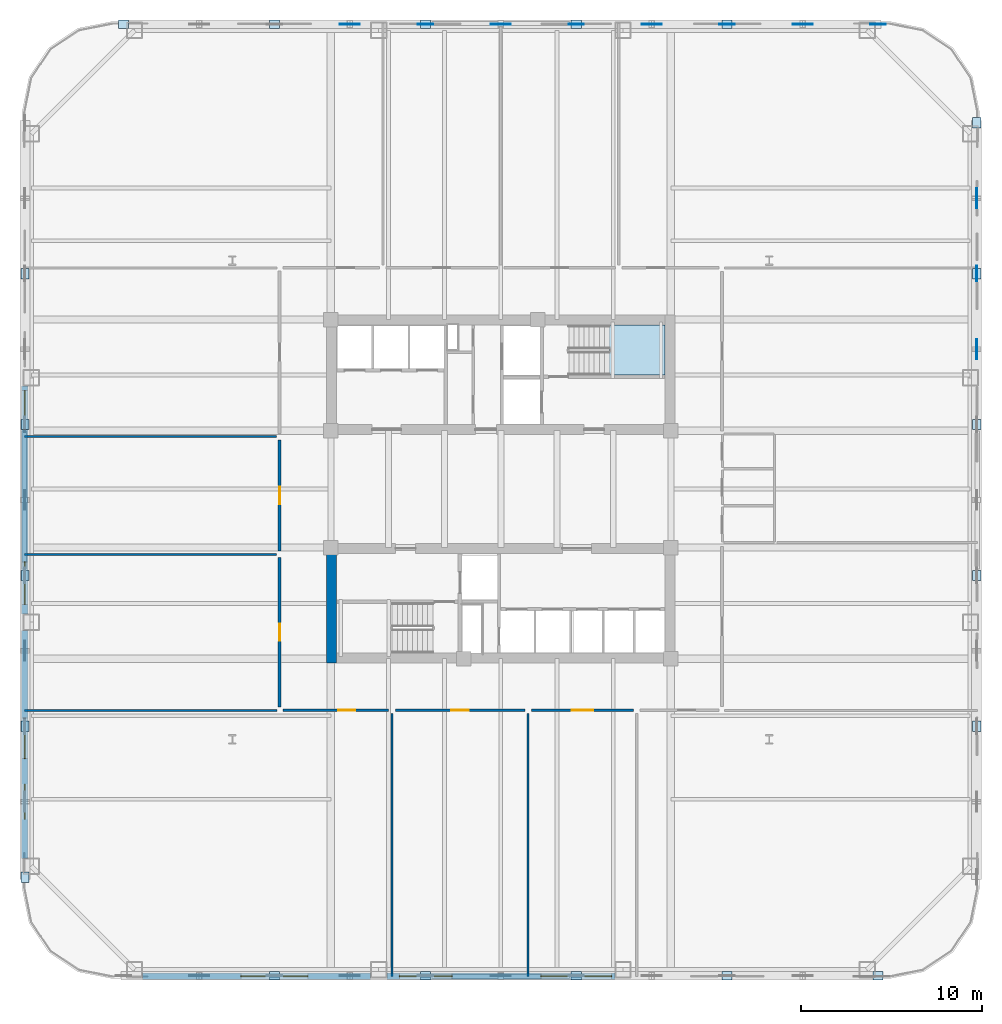
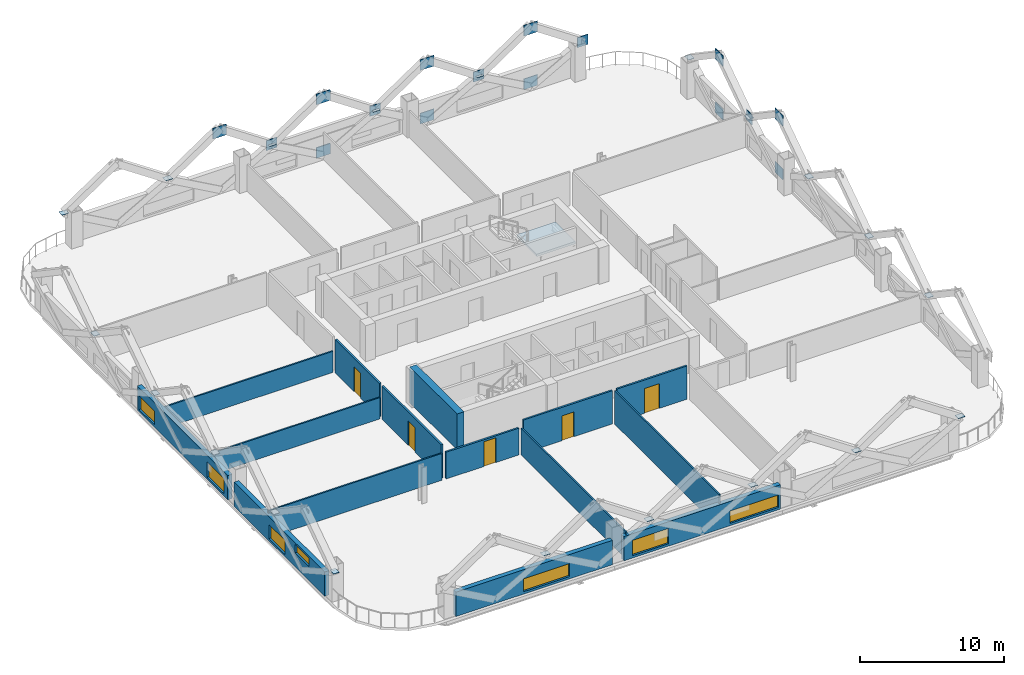
# One storey, part 4 of 13: 36 plates, 15 walls, 7 windows, 5 doors, 1 slab, 12 openings, 1 element without a shape of its own.
"""IFC4 building model written with IfcOpenShell, lengths in metres."""

from ifc_helpers import new_model, si_unit, direction, frame, frame_2d, origin, origin_2d, place, context, subcontext, project, spatial, polyline, rectangle, outline, extrude, material, layer, layer_set, type_object, element, fill, aggregate, save


model = new_model("IFC4")

# Units and contexts
model_context = context("Model", 3, precision=1e-05, world=origin(), true_north=direction((0.0, 1.0)))
body_context = subcontext(model_context, "Body", "Model", "MODEL_VIEW")
ifc_project = project(units=[si_unit("LENGTHUNIT", "METRE"), si_unit("AREAUNIT", "SQUARE_METRE"), si_unit("VOLUMEUNIT", "CUBIC_METRE"), si_unit("PLANEANGLEUNIT", "RADIAN"), si_unit("MASSUNIT", "GRAM", prefix="KILO")], contexts=[model_context])

# Site, building, storey
site_placement = place(None, origin())
site = spatial("IfcSite", under=ifc_project, at=site_placement, CompositionType="ELEMENT")
building_placement = place(site_placement, origin())
building = spatial("IfcBuilding", under=site, at=building_placement, Name="Qhalaya Broadcast Tower", CompositionType="ELEMENT")
storey_placement = place(building_placement, frame((0.0, 0.0, 44.39990234375)))
storey = spatial("IfcBuildingStorey", under=building, at=storey_placement, Name="L12", CompositionType="ELEMENT", Elevation=44.39990234375)

# Plates
ifc_material_1 = material(Name="Structural Steel ASTM A572 Grade 50", Category="steel")
ifc_layer_1 = layer(ifc_material_1, 0.054931640625, Name="Structural Steel ASTM A572 Grade 50")
ifc_layer_set_1 = layer_set([ifc_layer_1], Name="Structural Steel ASTM A572 Grade 50")
plate_type_1 = type_object("IfcPlateType", Name="Exoskeleton Diamond Node Gusset Plate NP-01", PredefinedType="USERDEFINED", material=ifc_layer_set_1)
for number, where, z_axis, x_axis, name in (
    (1, (26.239990234375, 8.320068359375, 0.210205078125), (0.0, 0.0, 1.0), (0.0, 1.0, 0.0), "Exoskeleton Diamond Node B1-E4-BOT"),
    (2, (26.239990234375, 8.320068359375, 4.750244140625), (0.0, 0.0, 1.0), (0.0, 1.0, 0.0), "Exoskeleton Diamond Node B1-E4-TOP"),
    (3, (26.239990234375, 16.639892578125, 0.210205078125), (0.0, 0.0, 1.0), (0.0, 1.0, 0.0), "Exoskeleton Diamond Node B1-E5-BOT"),
    (4, (26.239990234375, 16.639892578125, 4.750244140625), (0.0, 0.0, 1.0), (0.0, 1.0, 0.0), "Exoskeleton Diamond Node B1-E5-TOP"),
):
    element("IfcPlate", number, at=place(storey_placement, frame(where, z_axis=z_axis, x_axis=x_axis)), inside=storey, type_object=plate_type_1, Name=name, ObjectType="GUSSET_PLATE", PredefinedType="USERDEFINED", context=body_context, shape_type="SweptSolid", body=[
        extrude(rectangle(XDim=1.10009765625, YDim=0.054931640625, at=origin_2d()), origin(), (0.0, 0.0, 1.0), 0.89990234375),
    ])
plate_1_placement = place(storey_placement, frame((26.239990234375, 12.47998046875, 2.26513671875), z_axis=(0.0, 0.0, 1.0), x_axis=(0.0, 1.0, 0.0)))
element("IfcPlate", 5, at=plate_1_placement, inside=storey, type_object=plate_type_1, Name="Exoskeleton Diamond Node B1-E5-MDL", ObjectType="GUSSET_PLATE", PredefinedType="USERDEFINED", context=body_context, shape_type="SweptSolid", body=[
    extrude(rectangle(XDim=0.85009765625, YDim=0.054931640625, at=origin_2d()), origin(), (0.0, 0.0, 1.0), 0.85009765625),
])
for number, where, z_axis, x_axis, name in (
    (6, (16.639892578125, 26.239990234375, 0.210205078125), (0.0, 0.0, 1.0), (1.0, 0.0, 0.0), "Exoskeleton Diamond Node B1-N1-BOT"),
    (7, (16.639892578125, 26.239990234375, 4.750244140625), (0.0, 0.0, 1.0), (1.0, 0.0, 0.0), "Exoskeleton Diamond Node B1-N1-TOP"),
):
    element("IfcPlate", number, at=place(storey_placement, frame(where, z_axis=z_axis, x_axis=x_axis)), inside=storey, type_object=plate_type_1, Name=name, ObjectType="GUSSET_PLATE", PredefinedType="USERDEFINED", context=body_context, shape_type="SweptSolid", body=[
        extrude(rectangle(XDim=1.10009765625, YDim=0.054931640625, at=origin_2d()), origin(), (0.0, 0.0, 1.0), 0.89990234375),
    ])
plate_2_placement = place(storey_placement, frame((20.800048828125, 26.239990234375, 2.26513671875), z_axis=(0.0, 0.0, 1.0), x_axis=(1.0, 0.0, 0.0)))
element("IfcPlate", 8, at=plate_2_placement, inside=storey, type_object=plate_type_1, Name="Exoskeleton Diamond Node B1-N1-MDL", ObjectType="GUSSET_PLATE", PredefinedType="USERDEFINED", context=body_context, shape_type="SweptSolid", body=[
    extrude(rectangle(XDim=0.85009765625, YDim=0.054931640625, at=origin_2d()), origin(), (0.0, 0.0, 1.0), 0.85009765625),
])
for number, where, z_axis, x_axis, name in (
    (9, (8.320068359375, 26.239990234375, 0.210205078125), (0.0, 0.0, 1.0), (1.0, 0.0, 0.0), "Exoskeleton Diamond Node B1-N2-BOT"),
    (10, (8.320068359375, 26.239990234375, 4.750244140625), (0.0, 0.0, 1.0), (1.0, 0.0, 0.0), "Exoskeleton Diamond Node B1-N2-TOP"),
):
    element("IfcPlate", number, at=place(storey_placement, frame(where, z_axis=z_axis, x_axis=x_axis)), inside=storey, type_object=plate_type_1, Name=name, ObjectType="GUSSET_PLATE", PredefinedType="USERDEFINED", context=body_context, shape_type="SweptSolid", body=[
        extrude(rectangle(XDim=1.10009765625, YDim=0.054931640625, at=origin_2d()), origin(), (0.0, 0.0, 1.0), 0.89990234375),
    ])
plate_3_placement = place(storey_placement, frame((12.47998046875, 26.239990234375, 2.26513671875), z_axis=(0.0, 0.0, 1.0), x_axis=(1.0, 0.0, 0.0)))
element("IfcPlate", 11, at=plate_3_placement, inside=storey, type_object=plate_type_1, Name="Exoskeleton Diamond Node B1-N2-MDL", ObjectType="GUSSET_PLATE", PredefinedType="USERDEFINED", context=body_context, shape_type="SweptSolid", body=[
    extrude(rectangle(XDim=0.85009765625, YDim=0.054931640625, at=origin_2d()), origin(), (0.0, 0.0, 1.0), 0.85009765625),
])
for number, where, z_axis, x_axis, name in (
    (12, (0.0, 26.239990234375, 0.210205078125), (0.0, 0.0, 1.0), (1.0, 0.0, 0.0), "Exoskeleton Diamond Node B1-N3-BOT"),
    (13, (0.0, 26.239990234375, 4.750244140625), (0.0, 0.0, 1.0), (1.0, 0.0, 0.0), "Exoskeleton Diamond Node B1-N3-TOP"),
):
    element("IfcPlate", number, at=place(storey_placement, frame(where, z_axis=z_axis, x_axis=x_axis)), inside=storey, type_object=plate_type_1, Name=name, ObjectType="GUSSET_PLATE", PredefinedType="USERDEFINED", context=body_context, shape_type="SweptSolid", body=[
        extrude(rectangle(XDim=1.10009765625, YDim=0.054931640625, at=origin_2d()), origin(), (0.0, 0.0, 1.0), 0.89990234375),
    ])
plate_4_placement = place(storey_placement, frame((4.159912109375, 26.239990234375, 2.26513671875), z_axis=(0.0, 0.0, 1.0), x_axis=(1.0, 0.0, 0.0)))
element("IfcPlate", 14, at=plate_4_placement, inside=storey, type_object=plate_type_1, Name="Exoskeleton Diamond Node B1-N3-MDL", ObjectType="GUSSET_PLATE", PredefinedType="USERDEFINED", context=body_context, shape_type="SweptSolid", body=[
    extrude(rectangle(XDim=0.85009765625, YDim=0.054931640625, at=origin_2d()), origin(), (0.0, 0.0, 1.0), 0.85009765625),
])
plate_5_placement = place(storey_placement, frame((-8.320068359375, 26.239990234375, 4.750244140625), z_axis=(0.0, 0.0, 1.0), x_axis=(1.0, 0.0, 0.0)))
element("IfcPlate", 15, at=plate_5_placement, inside=storey, type_object=plate_type_1, Name="Exoskeleton Diamond Node B1-N4-TOP", ObjectType="GUSSET_PLATE", PredefinedType="USERDEFINED", context=body_context, shape_type="SweptSolid", body=[
    extrude(rectangle(XDim=1.10009765625, YDim=0.054931640625, at=origin_2d()), origin(), (0.0, 0.0, 1.0), 0.89990234375),
])
plate_6_placement = place(storey_placement, frame((-4.159912109375, 26.239990234375, 2.26513671875), z_axis=(0.0, 0.0, 1.0), x_axis=(1.0, 0.0, 0.0)))
element("IfcPlate", 16, at=plate_6_placement, inside=storey, type_object=plate_type_1, Name="Exoskeleton Diamond Node B1-N4-MDL", ObjectType="GUSSET_PLATE", PredefinedType="USERDEFINED", context=body_context, shape_type="SweptSolid", body=[
    extrude(rectangle(XDim=0.85009765625, YDim=0.054931640625, at=origin_2d()), origin(), (0.0, 0.0, 1.0), 0.85009765625),
])
ifc_layer_2 = layer(ifc_material_1, 0.4599609375, Name="Structural Steel ASTM A572 Grade 50")
ifc_layer_set_2 = layer_set([ifc_layer_2], Name="Structural Steel ASTM A572 Grade 50")
plate_type_2 = type_object("IfcPlateType", Name="Hollow Box Member End Cap Plate CP-01", PredefinedType="USERDEFINED", material=ifc_layer_set_2)
for number, where, z_axis, x_axis, name in (
    (17, (-12.47998046875, -26.239990234375, 2.67431640625), (0.0, 0.0, 1.0), (1.0, 0.0, 0.0), "Exoskeleton Hollow End Cap B1-S1"),
    (18, (-4.159912109375, -26.239990234375, 2.67431640625), (0.0, 0.0, 1.0), (1.0, 0.0, 0.0), "Exoskeleton Hollow End Cap B1-S2"),
    (19, (4.159912109375, -26.239990234375, 2.67431640625), (0.0, 0.0, 1.0), (1.0, 0.0, 0.0), "Exoskeleton Hollow End Cap B1-S3"),
    (20, (12.47998046875, -26.239990234375, 2.67431640625), (0.0, 0.0, 1.0), (1.0, 0.0, 0.0), "Exoskeleton Hollow End Cap B1-S4"),
    (21, (20.800048828125, -26.239990234375, 2.67431640625), (0.0, 0.0, 1.0), (1.0, 0.0, 0.0), "Exoskeleton Hollow End Cap B1-S5"),
    (22, (26.239990234375, -12.47998046875, 2.67431640625), (0.0, 0.0, 1.0), (0.0, 1.0, 0.0), "Exoskeleton Hollow End Cap B1-E1"),
    (23, (26.239990234375, -4.159912109375, 2.67431640625), (0.0, 0.0, 1.0), (0.0, 1.0, 0.0), "Exoskeleton Hollow End Cap B1-E2"),
    (24, (26.239990234375, 4.159912109375, 2.67431640625), (0.0, 0.0, 1.0), (0.0, 1.0, 0.0), "Exoskeleton Hollow End Cap B1-E3"),
    (25, (26.239990234375, 12.47998046875, 2.67431640625), (0.0, 0.0, 1.0), (0.0, 1.0, 0.0), "Exoskeleton Hollow End Cap B1-E4"),
    (26, (26.239990234375, 20.800048828125, 2.67431640625), (0.0, 0.0, 1.0), (0.0, 1.0, 0.0), "Exoskeleton Hollow End Cap B1-E5"),
    (27, (12.47998046875, 26.239990234375, 2.67431640625), (0.0, 0.0, 1.0), (1.0, 0.0, 0.0), "Exoskeleton Hollow End Cap B1-N1"),
    (28, (4.159912109375, 26.239990234375, 2.67431640625), (0.0, 0.0, 1.0), (1.0, 0.0, 0.0), "Exoskeleton Hollow End Cap B1-N2"),
    (29, (-4.159912109375, 26.239990234375, 2.67431640625), (0.0, 0.0, 1.0), (1.0, 0.0, 0.0), "Exoskeleton Hollow End Cap B1-N3"),
    (30, (-12.47998046875, 26.239990234375, 2.67431640625), (0.0, 0.0, 1.0), (1.0, 0.0, 0.0), "Exoskeleton Hollow End Cap B1-N4"),
    (31, (-20.800048828125, 26.239990234375, 2.67431640625), (0.0, 0.0, 1.0), (1.0, 0.0, 0.0), "Exoskeleton Hollow End Cap B1-N5"),
    (32, (-26.239990234375, 12.47998046875, 2.67431640625), (0.0, 0.0, 1.0), (0.0, 1.0, 0.0), "Exoskeleton Hollow End Cap B1-W1"),
    (33, (-26.239990234375, 4.159912109375, 2.67431640625), (0.0, 0.0, 1.0), (0.0, 1.0, 0.0), "Exoskeleton Hollow End Cap B1-W2"),
    (34, (-26.239990234375, -4.159912109375, 2.67431640625), (0.0, 0.0, 1.0), (0.0, 1.0, 0.0), "Exoskeleton Hollow End Cap B1-W3"),
    (35, (-26.239990234375, -12.47998046875, 2.67431640625), (0.0, 0.0, 1.0), (0.0, 1.0, 0.0), "Exoskeleton Hollow End Cap B1-W4"),
    (36, (-26.239990234375, -20.800048828125, 2.67431640625), (0.0, 0.0, 1.0), (0.0, 1.0, 0.0), "Exoskeleton Hollow End Cap B1-W5"),
):
    element("IfcPlate", number, at=place(storey_placement, frame(where, z_axis=z_axis, x_axis=x_axis)), inside=storey, type_object=plate_type_2, Name=name, ObjectType="COVER_PLATE", PredefinedType="USERDEFINED", context=body_context, shape_type="SweptSolid", body=[
        extrude(rectangle(XDim=0.56005859375, YDim=0.4599609375, at=origin_2d()), origin(), (0.0, 0.0, 1.0), 0.031982421875),
    ])

# Stair, slab
ifc_material_2 = material(Name="Concrete C40/50", Category="concrete")
stair_type = type_object("IfcStairType", Name="Protected Dogleg Core Stair 3150", PredefinedType="TWO_STRAIGHT_RUN_STAIR", material=ifc_material_2)
stair_placement = place(storey_placement, origin())
stair = element("IfcStair", 37, at=stair_placement, inside=storey, type_object=stair_type, Name="L12 North Core Exit Stair ST-1", PredefinedType="TWO_STRAIGHT_RUN_STAIR")
ifc_layer_3 = layer(ifc_material_2, 0.199951171875, Name="Concrete C40/50")
ifc_layer_set_3 = layer_set([ifc_layer_3], Name="Concrete C40/50")
slab_type = type_object("IfcSlabType", Name="Stair & Ramp Half-Landing Slab 200", PredefinedType="LANDING", material=ifc_layer_set_3)
slab_placement = place(storey_placement, frame((0.0, 0.0, 1.3251953125)))
slab = element("IfcSlab", 38, at=slab_placement, type_object=slab_type, Name="ST-1 landing 1", PredefinedType="LANDING", context=body_context, shape_type="SweptSolid", body=[
    extrude(outline(polyline([(5.955078125, 6.8798828125), (9.050048828125, 6.8798828125), (9.050048828125, 9.639892578125), (5.955078125, 9.639892578125), (5.955078125, 6.8798828125)])), origin(), (0.0, 0.0, 1.0), 0.199951171875),
])
aggregate(stair, [slab])

# Wall, opening, door
ifc_material_3 = material(Name="Gypsum Acoustic Partition")
ifc_layer_4 = layer(ifc_material_3, 0.14990234375, Name="Gypsum Acoustic Partition")
ifc_layer_set_4 = layer_set([ifc_layer_4], Name="Gypsum Acoustic Partition")
wall_type_1 = type_object("IfcWallType", Name="Corridor & Tenancy Acoustic Partition 150", PredefinedType="PARTITIONING", material=ifc_layer_set_4)
wall_1_placement = place(storey_placement, frame((-12.02001953125, -11.60009765625, 0.0), z_axis=(0.0, 0.0, 1.0), x_axis=(1.0, 0.0, 0.0)))
wall_1 = element("IfcWall", 39, at=wall_1_placement, inside=storey, type_object=wall_type_1, Name="L12 Partition Wall W-COR-05", PredefinedType="PARTITIONING", context=body_context, shape_type="SweptSolid", body=[
    extrude(rectangle(XDim=5.840087890625, YDim=0.14990234375, at=frame_2d((2.919921875, 0.0))), origin(), (0.0, 0.0, 1.0), 2.274169921875),
])
opening_1_placement = place(wall_1_placement, frame((3.044921875, 0.0, 0.0)))
opening_1 = element("IfcOpeningElement", 40, at=opening_1_placement, cuts=wall_1, Name="Opening D10", PredefinedType="OPENING", context=body_context, shape_type="SweptSolid", body=[
    extrude(rectangle(XDim=0.949951171875, YDim=2.10009765625, at=frame_2d((0.47509765625, 1.050048828125))), frame((0.0, 0.0869140625, 0.0), z_axis=(0.0, -1.0, 0.0), x_axis=(1.0, 0.0, 0.0)), (0.0, 0.0, 1.0), 0.173828125),
])
ifc_material_4 = material(Name="Timber Veneer Acoustic Door", Category="wood")
door_type_1 = type_object("IfcDoorType", Name="Cellular Office & Edit Booth Door D10", OperationType="NOTDEFINED", PredefinedType="DOOR", material=ifc_material_4)
door_1_placement = place(opening_1_placement, origin())
door_1 = element("IfcDoor", 41, at=door_1_placement, inside=storey, type_object=door_type_1, Name="L12 Door D-RM05", OperationType="SINGLE_SWING_RIGHT", OverallHeight=2.10009765625, OverallWidth=0.949951171875, PredefinedType="DOOR", context=body_context, shape_type="SweptSolid", body=[
    extrude(rectangle(XDim=0.949951171875, YDim=2.10009765625, at=frame_2d((0.47509765625, 1.050048828125))), frame((0.0, 0.02490234375, 0.0), z_axis=(0.0, -1.0, 0.0), x_axis=(1.0, 0.0, 0.0)), (0.0, 0.0, 1.0), 0.050048828125),
])
fill(opening_1, door_1)

wall_2_placement = place(storey_placement, frame((-5.820068359375, -11.60009765625, 0.0), z_axis=(0.0, 0.0, 1.0), x_axis=(1.0, 0.0, 0.0)))
wall_2 = element("IfcWall", 42, at=wall_2_placement, inside=storey, type_object=wall_type_1, Name="L12 Partition Wall W-COR-06", PredefinedType="PARTITIONING", context=body_context, shape_type="SweptSolid", body=[
    extrude(rectangle(XDim=7.14013671875, YDim=0.14990234375, at=frame_2d((3.570068359375, 0.0))), origin(), (0.0, 0.0, 1.0), 2.830078125),
])
opening_2_placement = place(wall_2_placement, frame((3.094970703125, 0.0, 0.0)))
opening_2 = element("IfcOpeningElement", 43, at=opening_2_placement, cuts=wall_2, Name="Opening D10", PredefinedType="OPENING", context=body_context, shape_type="SweptSolid", body=[
    extrude(rectangle(XDim=0.949951171875, YDim=2.10009765625, at=frame_2d((0.47509765625, 1.050048828125))), frame((0.0, 0.0869140625, 0.0), z_axis=(0.0, -1.0, 0.0), x_axis=(1.0, 0.0, 0.0)), (0.0, 0.0, 1.0), 0.173828125),
])
door_2_placement = place(opening_2_placement, origin())
door_2 = element("IfcDoor", 44, at=door_2_placement, inside=storey, type_object=door_type_1, Name="L12 Door D-RM06", OperationType="SINGLE_SWING_LEFT", OverallHeight=2.10009765625, OverallWidth=0.949951171875, PredefinedType="DOOR", context=body_context, shape_type="SweptSolid", body=[
    extrude(rectangle(XDim=0.949951171875, YDim=2.10009765625, at=frame_2d((0.47509765625, 1.050048828125))), frame((0.0, 0.02490234375, 0.0), z_axis=(0.0, -1.0, 0.0), x_axis=(1.0, 0.0, 0.0)), (0.0, 0.0, 1.0), 0.050048828125),
])
fill(opening_2, door_2)

wall_3_placement = place(storey_placement, frame((1.679931640625, -11.60009765625, 0.0), z_axis=(0.0, 0.0, 1.0), x_axis=(1.0, 0.0, 0.0)))
wall_3 = element("IfcWall", 45, at=wall_3_placement, inside=storey, type_object=wall_type_1, Name="L12 Partition Wall W-COR-07", PredefinedType="PARTITIONING", context=body_context, shape_type="SweptSolid", body=[
    extrude(rectangle(XDim=5.64013671875, YDim=0.14990234375, at=frame_2d((2.820068359375, 0.0))), origin(), (0.0, 0.0, 1.0), 2.830078125),
])
opening_3_placement = place(wall_3_placement, frame((2.219970703125, 0.0, 0.0)))
opening_3 = element("IfcOpeningElement", 46, at=opening_3_placement, cuts=wall_3, Name="Opening D11", PredefinedType="OPENING", context=body_context, shape_type="SweptSolid", body=[
    extrude(rectangle(XDim=1.199951171875, YDim=2.10009765625, at=frame_2d((0.60009765625, 1.050048828125))), frame((0.0, 0.0869140625, 0.0), z_axis=(0.0, -1.0, 0.0), x_axis=(1.0, 0.0, 0.0)), (0.0, 0.0, 1.0), 0.173828125),
])
ifc_material_5 = material(Name="Anodised Aluminium Glazed Door", Category="aluminium")
door_type_2 = type_object("IfcDoorType", Name="Conference, Boardroom & Studio Control Door D11", OperationType="NOTDEFINED", PredefinedType="DOOR", material=ifc_material_5)
door_3_placement = place(opening_3_placement, origin())
door_3 = element("IfcDoor", 47, at=door_3_placement, inside=storey, type_object=door_type_2, Name="L12 Door D-RM07", OperationType="SINGLE_SWING_RIGHT", OverallHeight=2.10009765625, OverallWidth=1.199951171875, PredefinedType="DOOR", context=body_context, shape_type="SweptSolid", body=[
    extrude(rectangle(XDim=1.199951171875, YDim=2.10009765625, at=frame_2d((0.60009765625, 1.050048828125))), frame((0.0, 0.02490234375, 0.0), z_axis=(0.0, -1.0, 0.0), x_axis=(1.0, 0.0, 0.0)), (0.0, 0.0, 1.0), 0.050048828125),
])
fill(opening_3, door_3)

wall_4_placement = place(storey_placement, frame((-12.199951171875, -11.419921875, 0.0), z_axis=(0.0, 0.0, 1.0), x_axis=(0.0, 1.0, 0.0)))
wall_4 = element("IfcWall", 48, at=wall_4_placement, inside=storey, type_object=wall_type_1, Name="L12 Partition Wall W-COR-09", PredefinedType="PARTITIONING", context=body_context, shape_type="SweptSolid", body=[
    extrude(rectangle(XDim=8.239990234375, YDim=0.14990234375, at=frame_2d((4.1201171875, 0.0))), origin(), (0.0, 0.0, 1.0), 2.830078125),
])
opening_4_placement = place(wall_4_placement, frame((3.64501953125, 0.0, 0.0)))
opening_4 = element("IfcOpeningElement", 49, at=opening_4_placement, cuts=wall_4, Name="Opening D10", PredefinedType="OPENING", context=body_context, shape_type="SweptSolid", body=[
    extrude(rectangle(XDim=0.949951171875, YDim=2.10009765625, at=frame_2d((0.47509765625, 1.050048828125))), frame((0.0, 0.0869140625, 0.0), z_axis=(0.0, -1.0, 0.0), x_axis=(1.0, 0.0, 0.0)), (0.0, 0.0, 1.0), 0.173828125),
])
door_4_placement = place(opening_4_placement, origin())
door_4 = element("IfcDoor", 50, at=door_4_placement, inside=storey, type_object=door_type_1, Name="L12 Door D-RM09", OperationType="SINGLE_SWING_RIGHT", OverallHeight=2.10009765625, OverallWidth=0.949951171875, PredefinedType="DOOR", context=body_context, shape_type="SweptSolid", body=[
    extrude(rectangle(XDim=0.949951171875, YDim=2.10009765625, at=frame_2d((0.47509765625, 1.050048828125))), frame((0.0, 0.02490234375, 0.0), z_axis=(0.0, -1.0, 0.0), x_axis=(1.0, 0.0, 0.0)), (0.0, 0.0, 1.0), 0.050048828125),
])
fill(opening_4, door_4)

wall_5_placement = place(storey_placement, frame((-12.199951171875, -2.820068359375, 0.0), z_axis=(0.0, 0.0, 1.0), x_axis=(0.0, 1.0, 0.0)))
wall_5 = element("IfcWall", 51, at=wall_5_placement, inside=storey, type_object=wall_type_1, Name="L12 Partition Wall W-COR-10", PredefinedType="PARTITIONING", context=body_context, shape_type="SweptSolid", body=[
    extrude(rectangle(XDim=6.14013671875, YDim=0.14990234375, at=frame_2d((3.070068359375, 0.0))), origin(), (0.0, 0.0, 1.0), 2.830078125),
])
opening_5_placement = place(wall_5_placement, frame((2.594970703125, 0.0, 0.0)))
opening_5 = element("IfcOpeningElement", 52, at=opening_5_placement, cuts=wall_5, Name="Opening D10", PredefinedType="OPENING", context=body_context, shape_type="SweptSolid", body=[
    extrude(rectangle(XDim=0.949951171875, YDim=2.10009765625, at=frame_2d((0.47509765625, 1.050048828125))), frame((0.0, 0.0869140625, 0.0), z_axis=(0.0, -1.0, 0.0), x_axis=(1.0, 0.0, 0.0)), (0.0, 0.0, 1.0), 0.173828125),
])
door_5_placement = place(opening_5_placement, origin())
door_5 = element("IfcDoor", 53, at=door_5_placement, inside=storey, type_object=door_type_1, Name="L12 Door D-RM10", OperationType="SINGLE_SWING_LEFT", OverallHeight=2.10009765625, OverallWidth=0.949951171875, PredefinedType="DOOR", context=body_context, shape_type="SweptSolid", body=[
    extrude(rectangle(XDim=0.949951171875, YDim=2.10009765625, at=frame_2d((0.47509765625, 1.050048828125))), frame((0.0, 0.02490234375, 0.0), z_axis=(0.0, -1.0, 0.0), x_axis=(1.0, 0.0, 0.0)), (0.0, 0.0, 1.0), 0.050048828125),
])
fill(opening_5, door_5)

# Wall, openings, windows
ifc_material_6 = material(Name="Precast Concrete C40/50", Category="concrete")
ifc_layer_5 = layer(ifc_material_6, 0.360107421875, Name="Precast Concrete C40/50")
ifc_layer_set_5 = layer_set([ifc_layer_5], Name="Precast Concrete C40/50")
wall_type_2 = type_object("IfcWallType", Name="Insulated Precast Terracotta Exterior Wall 360", PredefinedType="SOLIDWALL", material=ifc_layer_set_5)
wall_6_placement = place(storey_placement, frame((6.283203125, -26.260009765625, 0.0), z_axis=(0.0, 0.0, 1.0), x_axis=(-1.0, 0.0, 0.0)))
wall_6 = element("IfcWall", 54, at=wall_6_placement, inside=storey, type_object=wall_type_2, Name="L12 Exoskeleton Diagrid Infill Wall S2", PredefinedType="SOLIDWALL", context=body_context, shape_type="SweptSolid", body=[
    extrude(rectangle(XDim=12.56640625, YDim=0.360107421875, at=frame_2d((6.283203125, 0.0))), origin(), (0.0, 0.0, 1.0), 2.067138671875),
])
opening_6_placement = place(wall_6_placement, frame((0.1708984375, 0.0, 0.199951171875)))
opening_6 = element("IfcOpeningElement", 55, at=opening_6_placement, cuts=wall_6, Name="Opening W11", PredefinedType="OPENING", context=body_context, shape_type="SweptSolid", body=[
    extrude(rectangle(XDim=3.89990234375, YDim=1.050048828125, at=frame_2d((1.949951171875, 0.52490234375))), frame((0.0, 0.192138671875, 0.0), z_axis=(0.0, -1.0, 0.0), x_axis=(1.0, 0.0, 0.0)), (0.0, 0.0, 1.0), 0.384033203125),
])
opening_7_placement = place(wall_6_placement, frame((8.970947265625, 0.0, 0.199951171875)))
opening_7 = element("IfcOpeningElement", 56, at=opening_7_placement, cuts=wall_6, Name="Opening W11", PredefinedType="OPENING", context=body_context, shape_type="SweptSolid", body=[
    extrude(rectangle(XDim=2.89990234375, YDim=1.300048828125, at=frame_2d((1.449951171875, 0.64990234375))), frame((0.0, 0.192138671875, 0.0), z_axis=(0.0, -1.0, 0.0), x_axis=(1.0, 0.0, 0.0)), (0.0, 0.0, 1.0), 0.384033203125),
])
ifc_material_7 = material(Name="Solar-Control Low-E Triple Glazing", Category="glass")
window_type = type_object("IfcWindowType", Name="Odd-Block Diagrid Infill Window W11", PartitioningType="SINGLE_PANEL", PredefinedType="WINDOW", material=ifc_material_7)
window_1_placement = place(opening_6_placement, origin())
window_1 = element("IfcWindow", 57, at=window_1_placement, inside=storey, type_object=window_type, Name="L12 Diagrid Infill Window W11-S2", OverallHeight=1.050048828125, OverallWidth=3.89990234375, PartitioningType="SINGLE_PANEL", PredefinedType="WINDOW", context=body_context, shape_type="SweptSolid", body=[
    extrude(rectangle(XDim=3.89990234375, YDim=1.050048828125, at=frame_2d((1.949951171875, 0.52490234375))), frame((0.0, 0.030029296875, 0.0), z_axis=(0.0, -1.0, 0.0), x_axis=(1.0, 0.0, 0.0)), (0.0, 0.0, 1.0), 0.06005859375),
])
fill(opening_6, window_1)
window_2_placement = place(opening_7_placement, origin())
window_2 = element("IfcWindow", 58, at=window_2_placement, inside=storey, type_object=window_type, Name="L12 Diagrid Infill Window W11-S3", OverallHeight=1.300048828125, OverallWidth=2.89990234375, PartitioningType="SINGLE_PANEL", PredefinedType="WINDOW", context=body_context, shape_type="SweptSolid", body=[
    extrude(rectangle(XDim=2.89990234375, YDim=1.300048828125, at=frame_2d((1.449951171875, 0.64990234375))), frame((0.0, 0.030029296875, 0.0), z_axis=(0.0, -1.0, 0.0), x_axis=(1.0, 0.0, 0.0)), (0.0, 0.0, 1.0), 0.06005859375),
])
fill(opening_7, window_2)

# Wall, opening, window
wall_7_placement = place(storey_placement, frame((-7.183349609375, -26.260009765625, 0.0), z_axis=(0.0, 0.0, 1.0), x_axis=(-1.0, 0.0, 0.0)))
wall_7 = element("IfcWall", 59, at=wall_7_placement, inside=storey, type_object=wall_type_2, Name="L12 Exoskeleton Diagrid Infill Wall S3", PredefinedType="SOLIDWALL", context=body_context, shape_type="SweptSolid", body=[
    extrude(rectangle(XDim=12.57861328125, YDim=0.360107421875, at=frame_2d((6.289306640625, 0.0))), origin(), (0.0, 0.0, 1.0), 2.067138671875),
])
opening_8_placement = place(wall_7_placement, frame((3.455078125, 0.0, 0.199951171875)))
opening_8 = element("IfcOpeningElement", 60, at=opening_8_placement, cuts=wall_7, Name="Opening W11", PredefinedType="OPENING", context=body_context, shape_type="SweptSolid", body=[
    extrude(rectangle(XDim=3.699951171875, YDim=1.10009765625, at=frame_2d((1.85009765625, 0.550048828125))), frame((0.0, 0.192138671875, 0.0), z_axis=(0.0, -1.0, 0.0), x_axis=(1.0, 0.0, 0.0)), (0.0, 0.0, 1.0), 0.384033203125),
])
window_3_placement = place(opening_8_placement, origin())
window_3 = element("IfcWindow", 61, at=window_3_placement, inside=storey, type_object=window_type, Name="L12 Diagrid Infill Window W11-S4", OverallHeight=1.10009765625, OverallWidth=3.699951171875, PartitioningType="SINGLE_PANEL", PredefinedType="WINDOW", context=body_context, shape_type="SweptSolid", body=[
    extrude(rectangle(XDim=3.699951171875, YDim=1.10009765625, at=frame_2d((1.85009765625, 0.550048828125))), frame((0.0, 0.030029296875, 0.0), z_axis=(0.0, -1.0, 0.0), x_axis=(1.0, 0.0, 0.0)), (0.0, 0.0, 1.0), 0.06005859375),
])
fill(opening_8, window_3)

# Wall, openings, windows
wall_8_placement = place(storey_placement, frame((-26.260009765625, -19.761962890625, 0.0), z_axis=(0.0, 0.0, 1.0), x_axis=(0.0, 1.0, 0.0)))
wall_8 = element("IfcWall", 62, at=wall_8_placement, inside=storey, type_object=wall_type_2, Name="L12 Exoskeleton Diagrid Infill Wall W1", PredefinedType="SOLIDWALL", context=body_context, shape_type="SweptSolid", body=[
    extrude(rectangle(XDim=12.57861328125, YDim=0.360107421875, at=frame_2d((6.289306640625, 0.0))), origin(), (0.0, 0.0, 1.0), 2.067138671875),
])
opening_9_placement = place(wall_8_placement, frame((2.14990234375, 0.0, 1.199951171875)))
opening_9 = element("IfcOpeningElement", 63, at=opening_9_placement, cuts=wall_8, Name="Opening W11", PredefinedType="OPENING", context=body_context, shape_type="SweptSolid", body=[
    extrude(rectangle(XDim=1.949951171875, YDim=0.699951171875, at=frame_2d((0.97509765625, 0.35009765625))), frame((0.0, 0.192138671875, 0.0), z_axis=(0.0, -1.0, 0.0), x_axis=(1.0, 0.0, 0.0)), (0.0, 0.0, 1.0), 0.384033203125),
])
opening_10_placement = place(wall_8_placement, frame((5.5, 0.0, 0.199951171875)))
opening_10 = element("IfcOpeningElement", 64, at=opening_10_placement, cuts=wall_8, Name="Opening W11", PredefinedType="OPENING", context=body_context, shape_type="SweptSolid", body=[
    extrude(rectangle(XDim=2.25, YDim=1.199951171875, at=frame_2d((1.125, 0.60009765625))), frame((0.0, 0.192138671875, 0.0), z_axis=(0.0, -1.0, 0.0), x_axis=(1.0, 0.0, 0.0)), (0.0, 0.0, 1.0), 0.384033203125),
])
window_4_placement = place(opening_9_placement, origin())
window_4 = element("IfcWindow", 65, at=window_4_placement, inside=storey, type_object=window_type, Name="L12 Diagrid Infill Window W11-W1", OverallHeight=0.699951171875, OverallWidth=1.949951171875, PartitioningType="SINGLE_PANEL", PredefinedType="WINDOW", context=body_context, shape_type="SweptSolid", body=[
    extrude(rectangle(XDim=1.949951171875, YDim=0.699951171875, at=frame_2d((0.97509765625, 0.35009765625))), frame((0.0, 0.030029296875, 0.0), z_axis=(0.0, -1.0, 0.0), x_axis=(1.0, 0.0, 0.0)), (0.0, 0.0, 1.0), 0.06005859375),
])
fill(opening_9, window_4)
window_5_placement = place(opening_10_placement, origin())
window_5 = element("IfcWindow", 66, at=window_5_placement, inside=storey, type_object=window_type, Name="L12 Diagrid Infill Window W11-W2", OverallHeight=1.199951171875, OverallWidth=2.25, PartitioningType="SINGLE_PANEL", PredefinedType="WINDOW", context=body_context, shape_type="SweptSolid", body=[
    extrude(rectangle(XDim=2.25, YDim=1.199951171875, at=frame_2d((1.125, 0.60009765625))), frame((0.0, 0.030029296875, 0.0), z_axis=(0.0, -1.0, 0.0), x_axis=(1.0, 0.0, 0.0)), (0.0, 0.0, 1.0), 0.06005859375),
])
fill(opening_10, window_5)

wall_9_placement = place(storey_placement, frame((-26.260009765625, -6.283203125, 0.0), z_axis=(0.0, 0.0, 1.0), x_axis=(0.0, 1.0, 0.0)))
wall_9 = element("IfcWall", 67, at=wall_9_placement, inside=storey, type_object=wall_type_2, Name="L12 Exoskeleton Diagrid Infill Wall W2", PredefinedType="SOLIDWALL", context=body_context, shape_type="SweptSolid", body=[
    extrude(rectangle(XDim=12.56640625, YDim=0.360107421875, at=frame_2d((6.283203125, 0.0))), origin(), (0.0, 0.0, 1.0), 2.067138671875),
])
opening_11_placement = place(wall_9_placement, frame((0.52099609375, 0.0, 0.199951171875)))
opening_11 = element("IfcOpeningElement", 68, at=opening_11_placement, cuts=wall_9, Name="Opening W11", PredefinedType="OPENING", context=body_context, shape_type="SweptSolid", body=[
    extrude(rectangle(XDim=2.35009765625, YDim=1.300048828125, at=frame_2d((1.175048828125, 0.64990234375))), frame((0.0, 0.192138671875, 0.0), z_axis=(0.0, -1.0, 0.0), x_axis=(1.0, 0.0, 0.0)), (0.0, 0.0, 1.0), 0.384033203125),
])
opening_12_placement = place(wall_9_placement, frame((10.1708984375, 0.0, 0.199951171875)))
opening_12 = element("IfcOpeningElement", 69, at=opening_12_placement, cuts=wall_9, Name="Opening W11", PredefinedType="OPENING", context=body_context, shape_type="SweptSolid", body=[
    extrude(rectangle(XDim=2.14990234375, YDim=1.14990234375, at=frame_2d((1.074951171875, 0.574951171875))), frame((0.0, 0.192138671875, 0.0), z_axis=(0.0, -1.0, 0.0), x_axis=(1.0, 0.0, 0.0)), (0.0, 0.0, 1.0), 0.384033203125),
])
window_6_placement = place(opening_11_placement, origin())
window_6 = element("IfcWindow", 70, at=window_6_placement, inside=storey, type_object=window_type, Name="L12 Diagrid Infill Window W11-W3", OverallHeight=1.300048828125, OverallWidth=2.35009765625, PartitioningType="SINGLE_PANEL", PredefinedType="WINDOW", context=body_context, shape_type="SweptSolid", body=[
    extrude(rectangle(XDim=2.35009765625, YDim=1.300048828125, at=frame_2d((1.175048828125, 0.64990234375))), frame((0.0, 0.030029296875, 0.0), z_axis=(0.0, -1.0, 0.0), x_axis=(1.0, 0.0, 0.0)), (0.0, 0.0, 1.0), 0.06005859375),
])
fill(opening_11, window_6)
window_7_placement = place(opening_12_placement, origin())
window_7 = element("IfcWindow", 71, at=window_7_placement, inside=storey, type_object=window_type, Name="L12 Diagrid Infill Window W11-W4", OverallHeight=1.14990234375, OverallWidth=2.14990234375, PartitioningType="SINGLE_PANEL", PredefinedType="WINDOW", context=body_context, shape_type="SweptSolid", body=[
    extrude(rectangle(XDim=2.14990234375, YDim=1.14990234375, at=frame_2d((1.074951171875, 0.574951171875))), frame((0.0, 0.030029296875, 0.0), z_axis=(0.0, -1.0, 0.0), x_axis=(1.0, 0.0, 0.0)), (0.0, 0.0, 1.0), 0.06005859375),
])
fill(opening_12, window_7)

# Walls
ifc_material_8 = material(Name="Concrete C60/75", Category="concrete")
ifc_layer_6 = layer(ifc_material_8, 0.550048828125, Name="Concrete C60/75")
ifc_layer_set_6 = layer_set([ifc_layer_6], Name="Concrete C60/75")
wall_type_3 = type_object("IfcWallType", Name="Lower Split-Core Shear Wall 550", PredefinedType="SHEAR", material=ifc_layer_set_6)
wall_10_placement = place(storey_placement, frame((-9.324951171875, -9.0, 0.0), z_axis=(0.0, 0.0, 1.0), x_axis=(0.0, 1.0, 0.0)))
element("IfcWall", 72, at=wall_10_placement, inside=storey, type_object=wall_type_3, Name="L12 Split-Core Shear Wall CW-SW", PredefinedType="SHEAR", context=body_context, shape_type="SweptSolid", body=[
    extrude(rectangle(XDim=6.60009765625, YDim=0.550048828125, at=frame_2d((3.300048828125, 0.0))), origin(), (0.0, 0.0, 1.0), 3.050048828125),
])
ifc_layer_7 = layer(ifc_material_3, 0.1201171875, Name="Gypsum Acoustic Partition")
ifc_layer_set_7 = layer_set([ifc_layer_7], Name="Gypsum Acoustic Partition")
wall_type_4 = type_object("IfcWallType", Name="Office, Booth & Sanitary Partition 120", PredefinedType="PARTITIONING", material=ifc_layer_set_7)
wall_11_placement = place(storey_placement, frame((-26.280029296875, -11.60009765625, 0.0), z_axis=(0.0, 0.0, 1.0), x_axis=(1.0, 0.0, 0.0)))
element("IfcWall", 73, at=wall_11_placement, inside=storey, type_object=wall_type_4, Name="L12 Partition Wall W-BNDW2", PredefinedType="PARTITIONING", context=body_context, shape_type="SweptSolid", body=[
    extrude(rectangle(XDim=13.93994140625, YDim=0.1201171875, at=frame_2d((6.969970703125, 0.0))), origin(), (0.0, 0.0, 1.0), 2.274169921875),
])
wall_12_placement = place(storey_placement, frame((-6.0, -26.280029296875, 0.0), z_axis=(0.0, 0.0, 1.0), x_axis=(0.0, 1.0, 0.0)))
element("IfcWall", 74, at=wall_12_placement, inside=storey, type_object=wall_type_4, Name="L12 Partition Wall W-DIVS1", PredefinedType="PARTITIONING", context=body_context, shape_type="SweptSolid", body=[
    extrude(rectangle(XDim=14.52001953125, YDim=0.1201171875, at=frame_2d((7.260009765625, 0.0))), origin(), (0.0, 0.0, 1.0), 2.274169921875),
])
wall_13_placement = place(storey_placement, frame((1.5, -26.280029296875, 0.0), z_axis=(0.0, 0.0, 1.0), x_axis=(0.0, 1.0, 0.0)))
element("IfcWall", 75, at=wall_13_placement, inside=storey, type_object=wall_type_4, Name="L12 Partition Wall W-DIVS2", PredefinedType="PARTITIONING", context=body_context, shape_type="SweptSolid", body=[
    extrude(rectangle(XDim=14.52001953125, YDim=0.1201171875, at=frame_2d((7.260009765625, 0.0))), origin(), (0.0, 0.0, 1.0), 2.830078125),
])
for number, where, z_axis, x_axis, name in (
    (76, (-26.280029296875, -3.0, 0.0), (0.0, 0.0, 1.0), (1.0, 0.0, 0.0), "L12 Partition Wall W-DIVW1"),
    (77, (-26.280029296875, 3.5, 0.0), (0.0, 0.0, 1.0), (1.0, 0.0, 0.0), "L12 Partition Wall W-DIVW2"),
):
    element("IfcWall", number, at=place(storey_placement, frame(where, z_axis=z_axis, x_axis=x_axis)), inside=storey, type_object=wall_type_4, Name=name, PredefinedType="PARTITIONING", context=body_context, shape_type="SweptSolid", body=[
        extrude(rectangle(XDim=13.919921875, YDim=0.1201171875, at=frame_2d((6.9599609375, 0.0))), origin(), (0.0, 0.0, 1.0), 1.799072265625),
    ])

save(model, "model.ifc")
